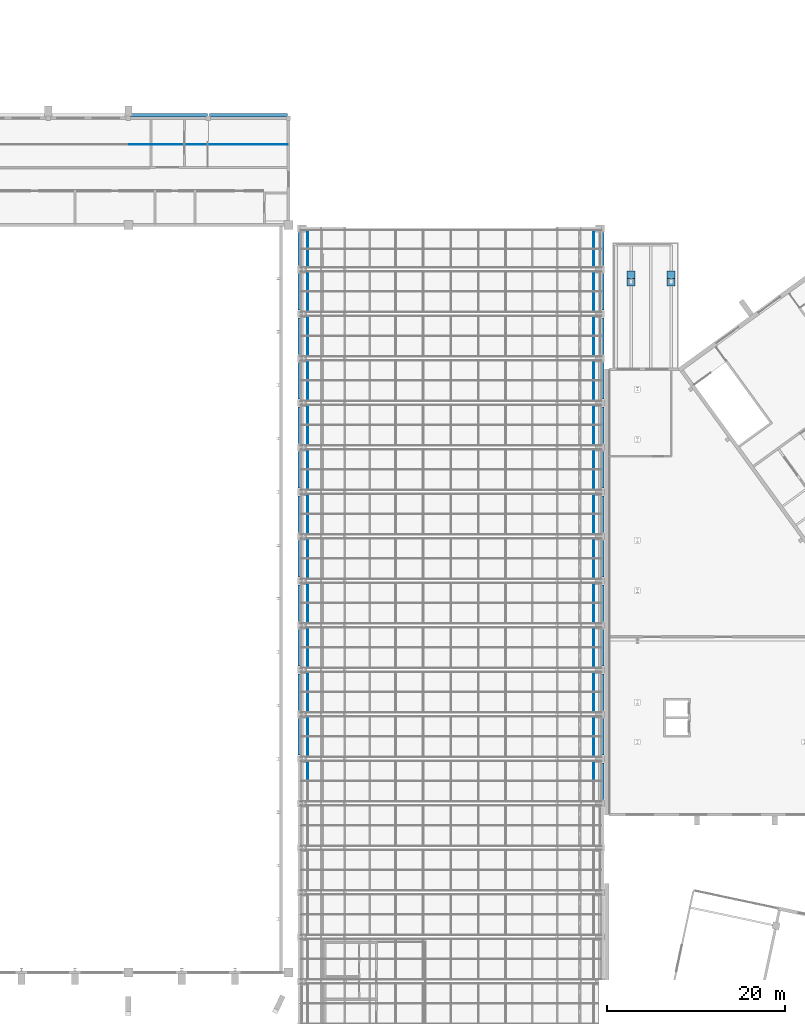
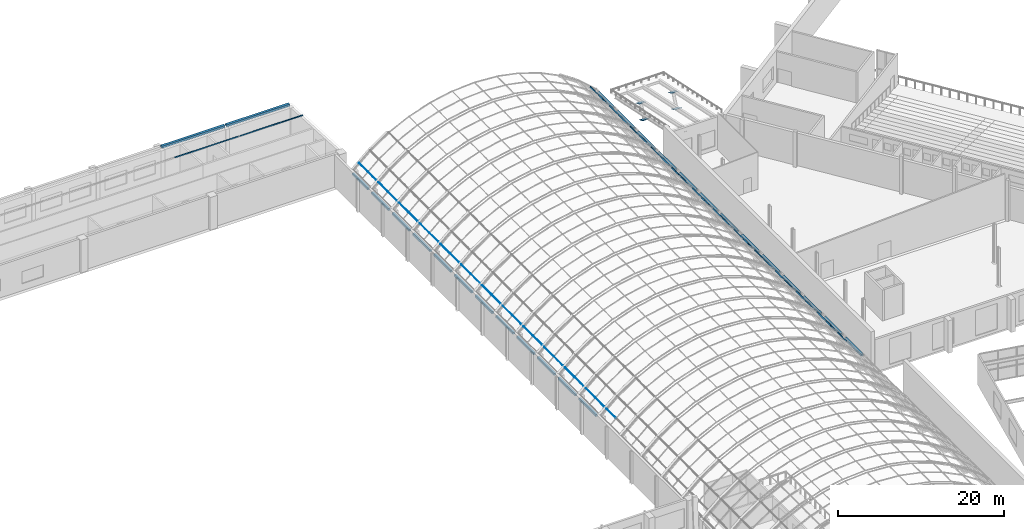
# One storey, part 157 of 182: 83 discrete accessories.
"""IFC4 building model written with IfcOpenShell, lengths in metres."""

import ifcopenshell
import ifcopenshell.guid

model = None  # the IFC model being written
_history = None  # IfcOwnerHistory: only IFC2X3 demands one
_inside = {}  # id of a spatial element -> (the spatial element, [elements in it])
_under = {}  # id of a project, library or spatial element -> (it, [spatial elements below it])
_declared = {}  # id of a project -> (the project, [libraries it declares])
_typed = {}  # id of a type object -> (the type object, [elements of that type])
_made_of = {}  # id of a material, layer set ... -> (it, [elements and type objects made of it])


def new_model(schema):
    """Start an empty IFC model of exactly this schema.

    Asked for "IFC4X3", IfcOpenShell would pick the latest addendum, in which some entities
    have other attributes; the version numbers below select the first issue.
    IFC2X3 requires an IfcOwnerHistory on every rooted entity: one is made here for all.
    """
    global model, _history
    if schema == "IFC4X3":
        model = ifcopenshell.file(schema_version=(4, 3, 0, 0))
    else:
        model = ifcopenshell.file(schema=schema)
    _inside.clear()
    _under.clear()
    _declared.clear()
    _typed.clear()
    _made_of.clear()
    _history = None
    if model.schema == "IFC2X3":
        org = make("IfcOrganization", Name="unknown")
        user = make(
            "IfcPersonAndOrganization",
            ThePerson=make("IfcPerson", FamilyName="unknown"),
            TheOrganization=org,
        )
        app = make(
            "IfcApplication",
            ApplicationDeveloper=org,
            Version="unknown",
            ApplicationFullName="unknown",
            ApplicationIdentifier="unknown",
        )
        _history = make(
            "IfcOwnerHistory",
            OwningUser=user,
            OwningApplication=app,
            ChangeAction="ADDED",
            CreationDate=0,
        )
    return model


def make(cls, **values):
    """One entity of the class cls with the attributes given. An attribute that is None is left unset."""
    return model.create_entity(
        cls, **{name: value for name, value in values.items() if value is not None}
    )


def rooted(cls, **values):
    """An entity with a GlobalId (a new one), such as an element, a storey or a relation."""
    return make(cls, GlobalId=ifcopenshell.guid.new(), OwnerHistory=_history, **values)


def si_unit(unit_type, name, prefix=None):
    """IfcSIUnit, for example si_unit("LENGTHUNIT", "METRE", prefix="MILLI")."""
    return make("IfcSIUnit", UnitType=unit_type, Prefix=prefix, Name=name)


def assignment(units):
    """IfcUnitAssignment: the units of a project."""
    return None if units is None else make("IfcUnitAssignment", Units=units)


def point(xyz):
    """IfcCartesianPoint."""
    return None if xyz is None else make("IfcCartesianPoint", Coordinates=xyz)


def direction(xyz):
    """IfcDirection."""
    return None if xyz is None else make("IfcDirection", DirectionRatios=xyz)


def frame(location, z_axis=None, x_axis=None):
    """IfcAxis2Placement3D, a coordinate frame: its origin and axes. An axis left out is left unset."""
    return make(
        "IfcAxis2Placement3D",
        Location=point(location),
        Axis=direction(z_axis),
        RefDirection=direction(x_axis),
    )


def frame_2d(location, x_axis=None):
    """IfcAxis2Placement2D, a coordinate frame in the plane: its origin and x axis."""
    return make(
        "IfcAxis2Placement2D", Location=point(location), RefDirection=direction(x_axis)
    )


def origin():
    """The frame at (0, 0, 0) with its axes left unset."""
    return frame((0.0, 0.0, 0.0))


def origin_2d():
    """The frame at (0, 0) in the plane with its x axis left unset."""
    return frame_2d((0.0, 0.0))


def place(relative_to, where):
    """IfcLocalPlacement: puts the frame where relative to a parent placement (None: the world)."""
    return make(
        "IfcLocalPlacement", PlacementRelTo=relative_to, RelativePlacement=where
    )


def context(
    kind, dimensions, precision=None, world=None, true_north=None, identifier=None
):
    """IfcGeometricRepresentationContext, for example the 3D "Model" context."""
    return make(
        "IfcGeometricRepresentationContext",
        ContextIdentifier=identifier,
        ContextType=kind,
        CoordinateSpaceDimension=dimensions,
        Precision=precision,
        WorldCoordinateSystem=world,
        TrueNorth=true_north,
    )


def subcontext(parent, identifier, kind, view, scale=None):
    """IfcGeometricRepresentationSubContext, for example "Body" below "Model"."""
    return make(
        "IfcGeometricRepresentationSubContext",
        ContextIdentifier=identifier,
        ContextType=kind,
        ParentContext=parent,
        TargetScale=scale,
        TargetView=view,
    )


def project(units=None, contexts=None):
    """IfcProject with its units and contexts."""
    return rooted(
        "IfcProject",
        Name="project",
        RepresentationContexts=contexts,
        UnitsInContext=assignment(units),
    )


def spatial(cls, under=None, at=None, **own):
    """A site, building, storey or space (cls), placed at a placement, below another one or the project."""
    s = rooted(cls, ObjectPlacement=at, **own)
    if under is not None:
        _under.setdefault(under.id(), (under, []))[1].append(s)
    return s


def polyline(points):
    """IfcPolyline through the points."""
    return make("IfcPolyline", Points=[point(p) for p in points])


def profile(cls, at=None, kind="AREA", **sizes):
    """A parametric profile (cls). Its sizes go by their IFC names, for example OverallWidth=200.0."""
    return make(cls, ProfileType=kind, Position=at, **sizes)


def rectangle(**sizes):
    """IfcRectangleProfileDef."""
    return profile("IfcRectangleProfileDef", **sizes)


def outline(outer, holes=None, kind="AREA"):
    """IfcArbitraryClosedProfileDef: a profile drawn as a closed curve; with holes, ...WithVoids."""
    if holes is None:
        return make("IfcArbitraryClosedProfileDef", ProfileType=kind, OuterCurve=outer)
    return make(
        "IfcArbitraryProfileDefWithVoids",
        ProfileType=kind,
        OuterCurve=outer,
        InnerCurves=holes,
    )


def extrude(swept, where, along, depth):
    """IfcExtrudedAreaSolid: the profile swept, set in the frame where, extruded along a direction by depth."""
    return make(
        "IfcExtrudedAreaSolid",
        SweptArea=swept,
        Position=where,
        ExtrudedDirection=direction(along),
        Depth=depth,
    )


def shape(context_of_items, identifier, shape_type, items):
    """IfcShapeRepresentation: the items that make up one representation, for example the "Body"."""
    return make(
        "IfcShapeRepresentation",
        ContextOfItems=context_of_items,
        RepresentationIdentifier=identifier,
        RepresentationType=shape_type,
        Items=items,
    )


def material(Name=None, Category=None):
    """IfcMaterial."""
    return make("IfcMaterial", Name=Name, Category=Category)


def layer(
    of_material, thickness, ventilated=None, Name=None, Category=None, Priority=None
):
    """IfcMaterialLayer: one layer of a wall or slab, of a material (None: an air gap)."""
    return make(
        "IfcMaterialLayer",
        Material=of_material,
        LayerThickness=thickness,
        IsVentilated=ventilated,
        Name=Name,
        Category=Category,
        Priority=Priority,
    )


def layer_set(layers, Name=None):
    """IfcMaterialLayerSet."""
    return make("IfcMaterialLayerSet", MaterialLayers=layers, LayerSetName=Name)


def made_of(thing, what):
    """Note that an element or type object is made of a material, layer set ...; save() writes the relation."""
    if what is not None:
        _made_of.setdefault(what.id(), (what, []))[1].append(thing)
    return thing


def type_object(cls, material=None, **own):
    """A type object (cls), such as IfcWallType, which elements share."""
    return made_of(rooted(cls, **own), material)


def element(
    cls,
    number,
    at=None,
    inside=None,
    cuts=None,
    type_object=None,
    material=None,
    context=None,
    identifier="Body",
    shape_type=None,
    held_by="IfcProductDefinitionShape",
    body=None,
    shapes=None,
    **own,
):
    """One element of the class cls, such as IfcWall. Its Tag is "e" and its number.

    at: its placement. inside: the storey or other place that contains it. cuts: it is an
    opening in that element (IfcRelVoidsElement). A single representation is given by context,
    identifier, shape_type and body (its items); several are given by shapes. held_by: the class
    of the entity that holds the representations. save() writes the other relations.
    """
    e = rooted(cls, Tag="e%d" % number, ObjectPlacement=at, **own)
    if body is not None:
        shapes = [shape(context, identifier, shape_type, body)]
    if shapes is not None:
        e.Representation = make(held_by, Representations=shapes)
    if inside is not None:
        _inside.setdefault(inside.id(), (inside, []))[1].append(e)
    if cuts is not None:
        rooted(
            "IfcRelVoidsElement", RelatingBuildingElement=cuts, RelatedOpeningElement=e
        )
    if type_object is not None:
        _typed.setdefault(type_object.id(), (type_object, []))[1].append(e)
    return made_of(e, material)


def aggregate(whole, parts):
    """IfcRelAggregates: a whole, such as a stair, and the parts it consists of."""
    return rooted("IfcRelAggregates", RelatingObject=whole, RelatedObjects=parts)


def save(model, path):
    """Write the relations noted so far, then the file.

    IfcRelAggregates (storeys below a building ...), IfcRelContainedInSpatialStructure (elements
    in a storey), IfcRelDefinesByType, IfcRelAssociatesMaterial and IfcRelDeclares: one each for
    every whole, place, type object, material and project.
    """
    for whole, parts in _under.values():
        aggregate(whole, parts)
    for where, things in _inside.values():
        rooted(
            "IfcRelContainedInSpatialStructure",
            RelatedElements=things,
            RelatingStructure=where,
        )
    for kind, things in _typed.values():
        rooted("IfcRelDefinesByType", RelatedObjects=things, RelatingType=kind)
    for what, things in _made_of.values():
        rooted("IfcRelAssociatesMaterial", RelatedObjects=things, RelatingMaterial=what)
    for by, libraries in _declared.values():
        rooted("IfcRelDeclares", RelatingContext=by, RelatedDefinitions=libraries)
    model.write(path)


model = new_model("IFC4")

# Units and contexts
model_context = context("Model", 3, precision=1e-05, world=origin(), true_north=direction((0.0, 1.0)))
body_context = subcontext(model_context, "Body", "Model", "MODEL_VIEW")
ifc_project = project(units=[si_unit("LENGTHUNIT", "METRE"), si_unit("AREAUNIT", "SQUARE_METRE"), si_unit("VOLUMEUNIT", "CUBIC_METRE"), si_unit("PLANEANGLEUNIT", "RADIAN"), si_unit("MASSUNIT", "GRAM", prefix="KILO")], contexts=[model_context])

# Site, building, storey
site_placement = place(None, origin())
site = spatial("IfcSite", under=ifc_project, at=site_placement, CompositionType="ELEMENT")
building_placement = place(site_placement, origin())
building = spatial("IfcBuilding", under=site, at=building_placement, Name="Okhra Congress Centre", CompositionType="ELEMENT")
storey_placement = place(building_placement, frame((0.0, 0.0, 7.199951171875)))
storey = spatial("IfcBuildingStorey", under=building, at=storey_placement, Name="L01", CompositionType="ELEMENT", Elevation=7.199951171875)

# Discrete accessories
ifc_material_1 = material(Name="Steel S355J2", Category="steel")
ifc_layer = layer(ifc_material_1, 0.02001953125)
ifc_layer_set = layer_set([ifc_layer], Name="Brace end connection plate 20 mm S355")
discrete_accessory_type_1 = type_object("IfcDiscreteAccessoryType", Name="Brace end connection plate 20 mm S355", PredefinedType="BRACKET", material=ifc_layer_set)
for number, where, z_axis, x_axis, name in (
    (1, (192.5, 209.580810546875, 0.0), (0.0, -0.392438685048, -0.919778168081), (1.0, 0.0, 0.0), "Brace end connection plate"),
    (2, (192.5, 210.39990234375, 1.931640625), (0.0, 0.392438685048, 0.919778168081), (-1.0, 0.0, 0.0), "Brace end connection plate"),
    (3, (197.0, 209.580810546875, 0.0), (0.0, -0.392438685048, -0.919778168081), (1.0, 0.0, 0.0), "Brace end connection plate"),
    (4, (197.0, 210.39990234375, 1.931640625), (0.0, 0.392438685048, 0.919778168081), (-1.0, 0.0, 0.0), "Brace end connection plate"),
):
    element("IfcDiscreteAccessory", number, at=place(storey_placement, frame(where, z_axis=z_axis, x_axis=x_axis)), inside=storey, type_object=discrete_accessory_type_1, Name=name, PredefinedType="BRACKET", context=body_context, shape_type="SweptSolid", body=[
        extrude(rectangle(XDim=0.9140625, YDim=0.9140625, at=origin_2d()), origin(), (0.0, 0.0, 1.0), 0.02001953125),
    ])
ifc_material_2 = material(Name="Stainless steel box gutter with self-regulating heating cable", Category="steel")
discrete_accessory_type_2 = type_object("IfcDiscreteAccessoryType", Name="Heated box gutter 350x300", PredefinedType="USERDEFINED", material=ifc_material_2)
for number, where, z_axis, x_axis, name in (
    (5, (140.5, 228.330078125, 4.162109375), (0.0, 0.0, 1.0), (1.0, 0.0, 0.0), "Heated box gutter"),
    (6, (149.5, 228.330078125, 4.162109375), (0.0, 0.0, 1.0), (1.0, 0.0, 0.0), "Heated box gutter"),
):
    element("IfcDiscreteAccessory", number, at=place(storey_placement, frame(where, z_axis=z_axis, x_axis=x_axis)), inside=storey, type_object=discrete_accessory_type_2, Name=name, ObjectType="HEATED GUTTER", PredefinedType="USERDEFINED", context=body_context, shape_type="SweptSolid", body=[
        extrude(rectangle(XDim=8.800048828125, YDim=0.35009765625, at=origin_2d()), origin(), (0.0, 0.0, 1.0), 0.300048828125),
    ])
discrete_accessory_type_3 = type_object("IfcDiscreteAccessoryType", Name="Heated eaves gutter 300x300", PredefinedType="USERDEFINED", material=ifc_material_2)
for number, where, z_axis, x_axis, name in (
    (7, (189.300048828125, 153.5, 1.5), (0.0, 0.0, 1.0), (1.0, 0.0, 0.0), "Heated eaves gutter"),
    (8, (155.199951171875, 158.5, 1.5), (0.0, 0.0, 1.0), (1.0, 0.0, 0.0), "Heated eaves gutter"),
    (9, (189.300048828125, 158.5, 1.5), (0.0, 0.0, 1.0), (1.0, 0.0, 0.0), "Heated eaves gutter"),
    (10, (155.199951171875, 163.5, 1.5), (0.0, 0.0, 1.0), (1.0, 0.0, 0.0), "Heated eaves gutter"),
    (11, (189.300048828125, 163.5, 1.5), (0.0, 0.0, 1.0), (1.0, 0.0, 0.0), "Heated eaves gutter"),
    (12, (155.199951171875, 168.5, 1.5), (0.0, 0.0, 1.0), (1.0, 0.0, 0.0), "Heated eaves gutter"),
    (13, (189.300048828125, 168.5, 1.5), (0.0, 0.0, 1.0), (1.0, 0.0, 0.0), "Heated eaves gutter"),
    (14, (155.199951171875, 173.5, 1.5), (0.0, 0.0, 1.0), (1.0, 0.0, 0.0), "Heated eaves gutter"),
    (15, (189.300048828125, 173.5, 1.5), (0.0, 0.0, 1.0), (1.0, 0.0, 0.0), "Heated eaves gutter"),
    (16, (155.199951171875, 178.5, 1.5), (0.0, 0.0, 1.0), (1.0, 0.0, 0.0), "Heated eaves gutter"),
    (17, (189.300048828125, 178.5, 1.5), (0.0, 0.0, 1.0), (1.0, 0.0, 0.0), "Heated eaves gutter"),
    (18, (155.199951171875, 183.5, 1.5), (0.0, 0.0, 1.0), (1.0, 0.0, 0.0), "Heated eaves gutter"),
    (19, (189.300048828125, 183.5, 1.5), (0.0, 0.0, 1.0), (1.0, 0.0, 0.0), "Heated eaves gutter"),
    (20, (155.199951171875, 188.5, 1.5), (0.0, 0.0, 1.0), (1.0, 0.0, 0.0), "Heated eaves gutter"),
    (21, (189.300048828125, 188.5, 1.5), (0.0, 0.0, 1.0), (1.0, 0.0, 0.0), "Heated eaves gutter"),
    (22, (155.199951171875, 193.5, 1.5), (0.0, 0.0, 1.0), (1.0, 0.0, 0.0), "Heated eaves gutter"),
    (23, (189.300048828125, 193.5, 1.5), (0.0, 0.0, 1.0), (1.0, 0.0, 0.0), "Heated eaves gutter"),
    (24, (155.199951171875, 198.5, 1.5), (0.0, 0.0, 1.0), (1.0, 0.0, 0.0), "Heated eaves gutter"),
    (25, (189.300048828125, 198.5, 1.5), (0.0, 0.0, 1.0), (1.0, 0.0, 0.0), "Heated eaves gutter"),
    (26, (155.199951171875, 203.5, 1.5), (0.0, 0.0, 1.0), (1.0, 0.0, 0.0), "Heated eaves gutter"),
    (27, (189.300048828125, 203.5, 1.5), (0.0, 0.0, 1.0), (1.0, 0.0, 0.0), "Heated eaves gutter"),
    (28, (155.199951171875, 208.5, 1.5), (0.0, 0.0, 1.0), (1.0, 0.0, 0.0), "Heated eaves gutter"),
    (29, (189.300048828125, 208.5, 1.5), (0.0, 0.0, 1.0), (1.0, 0.0, 0.0), "Heated eaves gutter"),
):
    element("IfcDiscreteAccessory", number, at=place(storey_placement, frame(where, z_axis=z_axis, x_axis=x_axis)), inside=storey, type_object=discrete_accessory_type_3, Name=name, ObjectType="HEATED GUTTER", PredefinedType="USERDEFINED", context=body_context, shape_type="SweptSolid", body=[
        extrude(rectangle(XDim=0.300048828125, YDim=4.10009765625, at=origin_2d()), origin(), (0.0, 0.0, 1.0), 0.300048828125),
    ])
for number, where, z_axis, x_axis, name in (
    (30, (155.199951171875, 213.300048828125, 1.5), (0.0, 0.0, 1.0), (1.0, 0.0, 0.0), "Heated eaves gutter"),
    (31, (189.300048828125, 213.300048828125, 1.5), (0.0, 0.0, 1.0), (1.0, 0.0, 0.0), "Heated eaves gutter"),
):
    element("IfcDiscreteAccessory", number, at=place(storey_placement, frame(where, z_axis=z_axis, x_axis=x_axis)), inside=storey, type_object=discrete_accessory_type_3, Name=name, ObjectType="HEATED GUTTER", PredefinedType="USERDEFINED", context=body_context, shape_type="SweptSolid", body=[
        extrude(rectangle(XDim=0.300048828125, YDim=3.699951171875, at=origin_2d()), origin(), (0.0, 0.0, 1.0), 0.300048828125),
    ])
ifc_material_3 = material(Name="Stainless steel snow retention bar clamped to the standing seams", Category="steel")
discrete_accessory_type_4 = type_object("IfcDiscreteAccessoryType", Name="Snow guard bar 40x120", PredefinedType="USERDEFINED", material=ifc_material_3)
for number, where, z_axis, x_axis, name in (
    (32, (156.125, 153.56005859375, 2.74560546875), (-0.666258670845, 0.0, 0.745720714157), (0.745720714157, 0.0, 0.666258670845), "Snow guard bar"),
    (33, (188.34521484375, 153.56005859375, 2.772216796875), (0.666258670845, 0.0, 0.745720714157), (0.745720714157, 0.0, -0.666258670845), "Snow guard bar"),
    (34, (156.125, 156.293212890625, 2.74560546875), (-0.666258670845, 0.0, 0.745720714157), (0.745720714157, 0.0, 0.666258670845), "Snow guard bar"),
    (35, (156.125, 158.56005859375, 2.74560546875), (-0.666258670845, 0.0, 0.745720714157), (0.745720714157, 0.0, 0.666258670845), "Snow guard bar"),
    (36, (188.34521484375, 156.293212890625, 2.772216796875), (0.666258670845, 0.0, 0.745720714157), (0.745720714157, 0.0, -0.666258670845), "Snow guard bar"),
    (37, (188.34521484375, 158.56005859375, 2.772216796875), (0.666258670845, 0.0, 0.745720714157), (0.745720714157, 0.0, -0.666258670845), "Snow guard bar"),
    (38, (156.125, 161.293212890625, 2.74560546875), (-0.666258670845, 0.0, 0.745720714157), (0.745720714157, 0.0, 0.666258670845), "Snow guard bar"),
    (39, (156.125, 163.56005859375, 2.74560546875), (-0.666258670845, 0.0, 0.745720714157), (0.745720714157, 0.0, 0.666258670845), "Snow guard bar"),
    (40, (188.34521484375, 161.293212890625, 2.772216796875), (0.666258670845, 0.0, 0.745720714157), (0.745720714157, 0.0, -0.666258670845), "Snow guard bar"),
    (41, (188.34521484375, 163.56005859375, 2.772216796875), (0.666258670845, 0.0, 0.745720714157), (0.745720714157, 0.0, -0.666258670845), "Snow guard bar"),
    (42, (156.125, 166.293212890625, 2.74560546875), (-0.666258670845, 0.0, 0.745720714157), (0.745720714157, 0.0, 0.666258670845), "Snow guard bar"),
    (43, (156.125, 168.56005859375, 2.74560546875), (-0.666258670845, 0.0, 0.745720714157), (0.745720714157, 0.0, 0.666258670845), "Snow guard bar"),
    (44, (188.34521484375, 166.293212890625, 2.772216796875), (0.666258670845, 0.0, 0.745720714157), (0.745720714157, 0.0, -0.666258670845), "Snow guard bar"),
    (45, (188.34521484375, 168.56005859375, 2.772216796875), (0.666258670845, 0.0, 0.745720714157), (0.745720714157, 0.0, -0.666258670845), "Snow guard bar"),
    (46, (156.125, 171.293212890625, 2.74560546875), (-0.666258670845, 0.0, 0.745720714157), (0.745720714157, 0.0, 0.666258670845), "Snow guard bar"),
    (47, (156.125, 173.56005859375, 2.74560546875), (-0.666258670845, 0.0, 0.745720714157), (0.745720714157, 0.0, 0.666258670845), "Snow guard bar"),
    (48, (188.34521484375, 171.293212890625, 2.772216796875), (0.666258670845, 0.0, 0.745720714157), (0.745720714157, 0.0, -0.666258670845), "Snow guard bar"),
    (49, (188.34521484375, 173.56005859375, 2.772216796875), (0.666258670845, 0.0, 0.745720714157), (0.745720714157, 0.0, -0.666258670845), "Snow guard bar"),
    (50, (156.125, 176.293212890625, 2.74560546875), (-0.666258670845, 0.0, 0.745720714157), (0.745720714157, 0.0, 0.666258670845), "Snow guard bar"),
    (51, (156.125, 178.56005859375, 2.74560546875), (-0.666258670845, 0.0, 0.745720714157), (0.745720714157, 0.0, 0.666258670845), "Snow guard bar"),
    (52, (188.34521484375, 176.293212890625, 2.772216796875), (0.666258670845, 0.0, 0.745720714157), (0.745720714157, 0.0, -0.666258670845), "Snow guard bar"),
    (53, (188.34521484375, 178.56005859375, 2.772216796875), (0.666258670845, 0.0, 0.745720714157), (0.745720714157, 0.0, -0.666258670845), "Snow guard bar"),
    (54, (156.125, 181.293212890625, 2.74560546875), (-0.666258670845, 0.0, 0.745720714157), (0.745720714157, 0.0, 0.666258670845), "Snow guard bar"),
    (55, (156.125, 183.56005859375, 2.74560546875), (-0.666258670845, 0.0, 0.745720714157), (0.745720714157, 0.0, 0.666258670845), "Snow guard bar"),
    (56, (188.34521484375, 181.293212890625, 2.772216796875), (0.666258670845, 0.0, 0.745720714157), (0.745720714157, 0.0, -0.666258670845), "Snow guard bar"),
    (57, (188.34521484375, 183.56005859375, 2.772216796875), (0.666258670845, 0.0, 0.745720714157), (0.745720714157, 0.0, -0.666258670845), "Snow guard bar"),
    (58, (156.125, 186.293212890625, 2.74560546875), (-0.666258670845, 0.0, 0.745720714157), (0.745720714157, 0.0, 0.666258670845), "Snow guard bar"),
    (59, (156.125, 188.56005859375, 2.74560546875), (-0.666258670845, 0.0, 0.745720714157), (0.745720714157, 0.0, 0.666258670845), "Snow guard bar"),
    (60, (188.34521484375, 186.293212890625, 2.772216796875), (0.666258670845, 0.0, 0.745720714157), (0.745720714157, 0.0, -0.666258670845), "Snow guard bar"),
    (61, (188.34521484375, 188.56005859375, 2.772216796875), (0.666258670845, 0.0, 0.745720714157), (0.745720714157, 0.0, -0.666258670845), "Snow guard bar"),
    (62, (156.125, 191.293212890625, 2.74560546875), (-0.666258670845, 0.0, 0.745720714157), (0.745720714157, 0.0, 0.666258670845), "Snow guard bar"),
    (63, (156.125, 193.56005859375, 2.74560546875), (-0.666258670845, 0.0, 0.745720714157), (0.745720714157, 0.0, 0.666258670845), "Snow guard bar"),
    (64, (188.34521484375, 191.293212890625, 2.772216796875), (0.666258670845, 0.0, 0.745720714157), (0.745720714157, 0.0, -0.666258670845), "Snow guard bar"),
    (65, (188.34521484375, 193.56005859375, 2.772216796875), (0.666258670845, 0.0, 0.745720714157), (0.745720714157, 0.0, -0.666258670845), "Snow guard bar"),
    (66, (156.125, 196.293212890625, 2.74560546875), (-0.666258670845, 0.0, 0.745720714157), (0.745720714157, 0.0, 0.666258670845), "Snow guard bar"),
    (67, (156.125, 198.56005859375, 2.74560546875), (-0.666258670845, 0.0, 0.745720714157), (0.745720714157, 0.0, 0.666258670845), "Snow guard bar"),
    (68, (188.34521484375, 196.293212890625, 2.772216796875), (0.666258670845, 0.0, 0.745720714157), (0.745720714157, 0.0, -0.666258670845), "Snow guard bar"),
    (69, (188.34521484375, 198.56005859375, 2.772216796875), (0.666258670845, 0.0, 0.745720714157), (0.745720714157, 0.0, -0.666258670845), "Snow guard bar"),
    (70, (156.125, 201.293212890625, 2.74560546875), (-0.666258670845, 0.0, 0.745720714157), (0.745720714157, 0.0, 0.666258670845), "Snow guard bar"),
    (71, (156.125, 203.56005859375, 2.74560546875), (-0.666258670845, 0.0, 0.745720714157), (0.745720714157, 0.0, 0.666258670845), "Snow guard bar"),
    (72, (188.34521484375, 201.293212890625, 2.772216796875), (0.666258670845, 0.0, 0.745720714157), (0.745720714157, 0.0, -0.666258670845), "Snow guard bar"),
    (73, (188.34521484375, 203.56005859375, 2.772216796875), (0.666258670845, 0.0, 0.745720714157), (0.745720714157, 0.0, -0.666258670845), "Snow guard bar"),
    (74, (156.125, 206.293212890625, 2.74560546875), (-0.666258670845, 0.0, 0.745720714157), (0.745720714157, 0.0, 0.666258670845), "Snow guard bar"),
    (75, (156.125, 208.56005859375, 2.74560546875), (-0.666258670845, 0.0, 0.745720714157), (0.745720714157, 0.0, 0.666258670845), "Snow guard bar"),
    (76, (188.34521484375, 206.293212890625, 2.772216796875), (0.666258670845, 0.0, 0.745720714157), (0.745720714157, 0.0, -0.666258670845), "Snow guard bar"),
    (77, (188.34521484375, 208.56005859375, 2.772216796875), (0.666258670845, 0.0, 0.745720714157), (0.745720714157, 0.0, -0.666258670845), "Snow guard bar"),
):
    element("IfcDiscreteAccessory", number, at=place(storey_placement, frame(where, z_axis=z_axis, x_axis=x_axis)), inside=storey, type_object=discrete_accessory_type_4, Name=name, ObjectType="SNOW GUARD", PredefinedType="USERDEFINED", context=body_context, shape_type="SweptSolid", body=[
        extrude(outline(polyline([(0.0, 0.0), (0.03994143609603103, 0.0), (0.03994143609603103, 2.1467285156250004), (0.0, 2.1467285156250004), (0.0, 0.0)])), origin(), (0.0, 0.0, -1.0), 0.1201171875),
    ])
for number, where, z_axis, x_axis, name in (
    (78, (156.125, 211.293212890625, 2.74560546875), (-0.666258670845, 0.0, 0.745720714157), (0.745720714157, 0.0, 0.666258670845), "Snow guard bar"),
    (79, (156.125, 213.380615234375, 2.74560546875), (-0.666258670845, 0.0, 0.745720714157), (0.745720714157, 0.0, 0.666258670845), "Snow guard bar"),
    (80, (188.34521484375, 211.293212890625, 2.772216796875), (0.666258670845, 0.0, 0.745720714157), (0.745720714157, 0.0, -0.666258670845), "Snow guard bar"),
    (81, (188.34521484375, 213.380615234375, 2.772216796875), (0.666258670845, 0.0, 0.745720714157), (0.745720714157, 0.0, -0.666258670845), "Snow guard bar"),
):
    element("IfcDiscreteAccessory", number, at=place(storey_placement, frame(where, z_axis=z_axis, x_axis=x_axis)), inside=storey, type_object=discrete_accessory_type_4, Name=name, ObjectType="SNOW GUARD", PredefinedType="USERDEFINED", context=body_context, shape_type="SweptSolid", body=[
        extrude(outline(polyline([(0.0, 0.0), (0.03994143609603103, 0.0), (0.03994143609603103, 1.967529296875), (0.0, 1.967529296875), (0.0, 0.0)])), origin(), (0.0, 0.0, -1.0), 0.1201171875),
    ])
ifc_material_4 = material(Name="Stainless steel snow retention bar clamped to the roof seams", Category="steel")
discrete_accessory_type_5 = type_object("IfcDiscreteAccessoryType", Name="Snow guard rail 50x120", PredefinedType="USERDEFINED", material=ifc_material_4)
for number, where, z_axis, x_axis, name in (
    (82, (136.10009765625, 225.0, 4.798583984375), (0.0, 0.053581455134, 0.998563482041), (1.0, 0.0, 0.0), "Snow guard rail"),
    (83, (145.10009765625, 225.0, 4.798583984375), (0.0, 0.053581455134, 0.998563482041), (1.0, 0.0, 0.0), "Snow guard rail"),
):
    element("IfcDiscreteAccessory", number, at=place(storey_placement, frame(where, z_axis=z_axis, x_axis=x_axis)), inside=storey, type_object=discrete_accessory_type_5, Name=name, ObjectType="SNOW GUARD", PredefinedType="USERDEFINED", context=body_context, shape_type="SweptSolid", body=[
        extrude(outline(polyline([(0.0, 0.0), (8.7998046875, 0.0), (8.7998046875, 0.05012082759396151), (0.0, 0.05012082759396151), (0.0, 0.0)])), origin(), (0.0, 0.0, -1.0), 0.1201171875),
    ])

save(model, "model.ifc")
